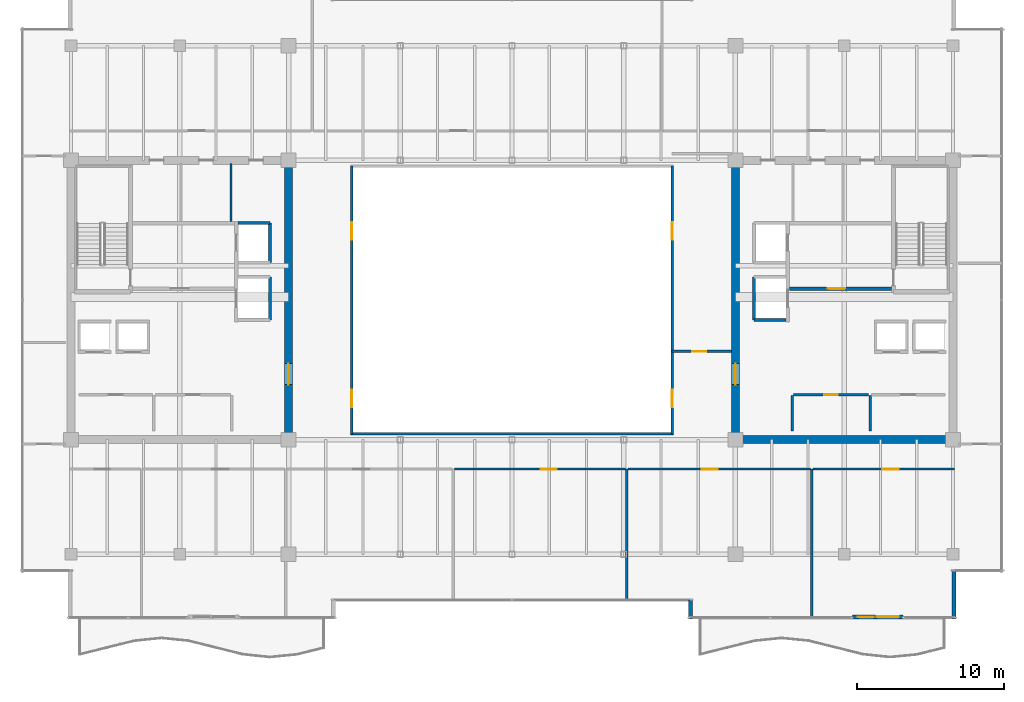
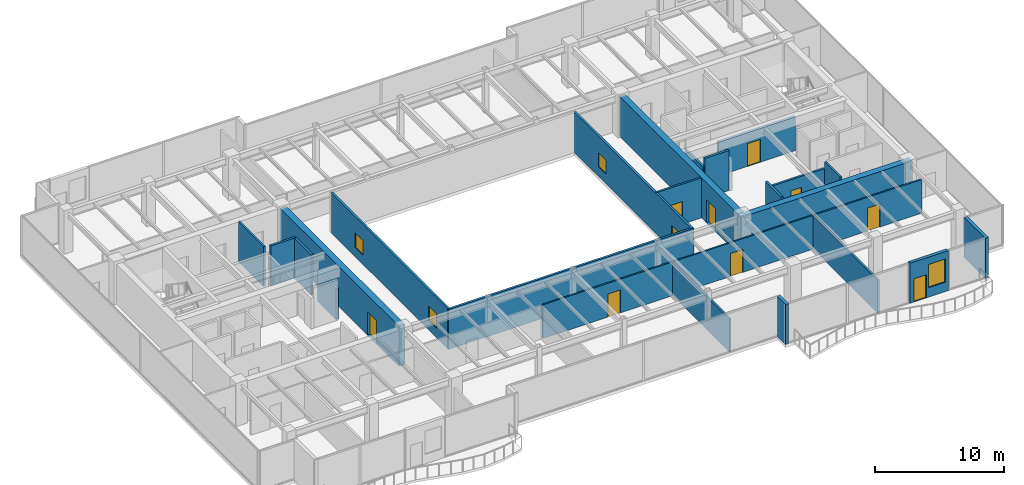
# One storey, part 29 of 34: 25 walls, 9 doors, 5 windows, 14 openings.
"""IFC4 building model written with IfcOpenShell, lengths in metres."""

from ifc_helpers import new_model, si_unit, direction, frame, frame_2d, origin, place, context, subcontext, project, spatial, rectangle, extrude, source, transform, mapped, material, layer, layer_set, type_object, type_shapes, element, fill, save


model = new_model("IFC4")

# Units and contexts
model_context = context("Model", 3, precision=1e-05, world=origin(), true_north=direction((0.0, 1.0)))
body_context = subcontext(model_context, "Body", "Model", "MODEL_VIEW")
ifc_project = project(units=[si_unit("LENGTHUNIT", "METRE"), si_unit("AREAUNIT", "SQUARE_METRE"), si_unit("VOLUMEUNIT", "CUBIC_METRE"), si_unit("PLANEANGLEUNIT", "RADIAN"), si_unit("MASSUNIT", "GRAM", prefix="KILO")], contexts=[model_context])

# Site, building, storey
site_placement = place(None, origin())
site = spatial("IfcSite", under=ifc_project, at=site_placement, CompositionType="ELEMENT")
building_placement = place(site_placement, origin())
building = spatial("IfcBuilding", under=site, at=building_placement, Name="Haelvirn Gate Laboratories", CompositionType="ELEMENT")
storey_placement = place(building_placement, frame((0.0, 0.0, 205.5)))
storey = spatial("IfcBuildingStorey", under=building, at=storey_placement, Name="L49", CompositionType="ELEMENT", Elevation=205.5)

# Wall, openings, door, window
ifc_material_1 = material(Name="Thermally-broken bronze aluminium rainscreen & mineral wool", Category="aluminium")
ifc_layer_1 = layer(ifc_material_1, 0.280029296875, Name="EW-TERR-280")
ifc_layer_set_1 = layer_set([ifc_layer_1], Name="Thermally-broken bronze aluminium rainscreen & mineral wool")
wall_type_1 = type_object("IfcWallType", Name="EW-TERR-280", PredefinedType="STANDARD", material=ifc_layer_set_1)
wall_1_placement = place(storey_placement, frame((60.547119140625, 2.739990234375, 0.0), z_axis=(0.0, 0.0, 1.0), x_axis=(1.0, 0.0, 0.0)))
wall_1 = element("IfcWall", 1, at=wall_1_placement, inside=storey, type_object=wall_type_1, Name="L49 Terrace Access Wall WB-EL-S", PredefinedType="STANDARD", context=body_context, shape_type="SweptSolid", body=[
    extrude(rectangle(XDim=3.455810546875, YDim=0.280029296875, at=frame_2d((1.72802734375, 0.0))), origin(), (0.0, 0.0, 1.0), 3.800048828125),
])
opening_1_placement = place(wall_1_placement, frame((0.3779296875, 0.0, 0.0)))
opening_1 = element("IfcOpeningElement", 2, at=opening_1_placement, cuts=wall_1, Name="Opening TD1", PredefinedType="OPENING", context=body_context, shape_type="SweptSolid", body=[
    extrude(rectangle(XDim=1.10009765625, YDim=2.199951171875, at=frame_2d((0.550048828125, 1.10009765625))), frame((0.0, 0.14990234375, 0.0), z_axis=(0.0, -1.0, 0.0), x_axis=(1.0, 0.0, 0.0)), (0.0, 0.0, 1.0), 0.300048828125),
])
opening_2_placement = place(wall_1_placement, frame((1.677978515625, 0.0, 0.89990234375)))
opening_2 = element("IfcOpeningElement", 3, at=opening_2_placement, cuts=wall_1, Name="Opening W3", PredefinedType="OPENING", context=body_context, shape_type="SweptSolid", body=[
    extrude(rectangle(XDim=1.5, YDim=2.199951171875, at=frame_2d((0.75, 1.10009765625))), frame((0.0, 0.14990234375, 0.0), z_axis=(0.0, -1.0, 0.0), x_axis=(1.0, 0.0, 0.0)), (0.0, 0.0, 1.0), 0.300048828125),
])
ifc_material_2 = material(Name="Thermally-broken bronze aluminium glazed terrace door", Category="aluminium")
door_type_1 = type_object("IfcDoorType", Name="DR-TERR-1100", OperationType="NOTDEFINED", PredefinedType="DOOR", material=ifc_material_2)
shared_shape_1 = source(origin(), body_context, "Body", "SweptSolid", [
    extrude(rectangle(XDim=1.10009765625, YDim=2.199951171875, at=frame_2d((0.550048828125, 1.10009765625))), frame((0.0, 0.02490234375, 0.0), z_axis=(0.0, -1.0, 0.0), x_axis=(1.0, 0.0, 0.0)), (0.0, 0.0, 1.0), 0.050048828125),
])
type_shapes(door_type_1, [shared_shape_1])
door_1_placement = place(opening_1_placement, origin())
door_1 = element("IfcDoor", 4, at=door_1_placement, inside=storey, type_object=door_type_1, Name="L49 Terrace Access Door WB-EL-S", OperationType="SINGLE_SWING_LEFT", OverallHeight=2.199951171875, OverallWidth=1.10009765625, PredefinedType="DOOR", context=body_context, shape_type="MappedRepresentation", body=[
    mapped(shared_shape_1, transform((0.0, 0.0, 0.0), scale=1.0)),
])
fill(opening_1, door_1)
ifc_material_3 = material(Name="Bronze anodised aluminium & triple low-E glass", Category="aluminium")
window_type_1 = type_object("IfcWindowType", Name="WIN-TERR-1600", PartitioningType="SINGLE_PANEL", PredefinedType="WINDOW", material=ifc_material_3)
shared_shape_2 = source(origin(), body_context, "Body", "SweptSolid", [
    extrude(rectangle(XDim=1.5, YDim=2.199951171875, at=frame_2d((0.75, 1.10009765625))), frame((0.0, 0.030029296875, 0.0), z_axis=(0.0, -1.0, 0.0), x_axis=(1.0, 0.0, 0.0)), (0.0, 0.0, 1.0), 0.06005859375),
])
type_shapes(window_type_1, [shared_shape_2])
window_1_placement = place(opening_2_placement, origin())
window_1 = element("IfcWindow", 5, at=window_1_placement, inside=storey, type_object=window_type_1, Name="L49 Terrace Vision Window WB-EL-S", OverallHeight=2.199951171875, OverallWidth=1.5, PartitioningType="SINGLE_PANEL", PredefinedType="WINDOW", context=body_context, shape_type="MappedRepresentation", body=[
    mapped(shared_shape_2, transform((0.0, 0.0, 0.0), scale=1.0)),
])
fill(opening_2, window_1)

# Walls
wall_2_placement = place(storey_placement, frame((49.5400390625, 3.89306640625, 0.0), z_axis=(0.0, 0.0, 1.0), x_axis=(0.0, -1.0, 0.0)))
element("IfcWall", 6, at=wall_2_placement, inside=storey, type_object=wall_type_1, Name="L49 Atrium Recess Bronze Return Wall 03", PredefinedType="STANDARD", context=body_context, shape_type="SweptSolid", body=[
    extrude(rectangle(XDim=1.29296875, YDim=0.280029296875, at=frame_2d((0.646484375, 0.0))), origin(), (0.0, 0.0, 1.0), 3.800048828125),
])
wall_3_placement = place(storey_placement, frame((67.4599609375, 2.60009765625, 0.0), z_axis=(0.0, 0.0, 1.0), x_axis=(0.0, 1.0, 0.0)))
element("IfcWall", 7, at=wall_3_placement, inside=storey, type_object=wall_type_1, Name="L49 Atrium Recess Bronze Return Wall 05", PredefinedType="STANDARD", context=body_context, shape_type="SweptSolid", body=[
    extrude(rectangle(XDim=3.287841796875, YDim=0.280029296875, at=frame_2d((1.64404296875, 0.0))), origin(), (0.0, 0.0, 1.0), 3.800048828125),
])
ifc_material_4 = material(Name="Double-layer acoustic gypsum laboratory partition", Category="gypsum")
ifc_layer_2 = layer(ifc_material_4, 0.159912109375, Name="IW-ACOUST-160")
ifc_layer_set_2 = layer_set([ifc_layer_2], Name="Double-layer acoustic gypsum laboratory partition")
wall_type_2 = type_object("IfcWallType", Name="IW-ACOUST-160", PredefinedType="PARTITIONING", material=ifc_layer_set_2)
wall_4_placement = place(storey_placement, frame((45.199951171875, 3.909912109375, 0.0), z_axis=(0.0, 0.0, 1.0), x_axis=(0.0, 1.0, 0.0)))
element("IfcWall", 8, at=wall_4_placement, inside=storey, type_object=wall_type_2, Name="L49 Interior Wall IW-L49-SDIV-04", PredefinedType="PARTITIONING", context=body_context, shape_type="SweptSolid", body=[
    extrude(rectangle(XDim=8.880126953125, YDim=0.159912109375, at=frame_2d((4.43994140625, 0.0))), origin(), (0.0, 0.0, 1.0), 3.135009765625),
])
wall_5_placement = place(storey_placement, frame((57.800048828125, 2.7099609375, 0.0), z_axis=(0.0, 0.0, 1.0), x_axis=(0.0, 1.0, 0.0)))
element("IfcWall", 9, at=wall_5_placement, inside=storey, type_object=wall_type_2, Name="L49 Interior Wall IW-L49-SDIV-05", PredefinedType="PARTITIONING", context=body_context, shape_type="SweptSolid", body=[
    extrude(rectangle(XDim=10.080078125, YDim=0.159912109375, at=frame_2d((5.0400390625, 0.0))), origin(), (0.0, 0.0, 1.0), 3.135009765625),
])

# Wall, opening, door
ifc_material_5 = material(Name="Fire-rated acoustic gypsum board partition", Category="gypsum")
ifc_layer_3 = layer(ifc_material_5, 0.175048828125, Name="IW-ACOUST-180")
ifc_layer_set_3 = layer_set([ifc_layer_3], Name="Fire-rated acoustic gypsum board partition")
wall_type_3 = type_object("IfcWallType", Name="IW-ACOUST-180", PredefinedType="PARTITIONING", material=ifc_layer_set_3)
wall_6_placement = place(storey_placement, frame((48.300048828125, 20.800048828125, 0.0), z_axis=(0.0, 0.0, 1.0), x_axis=(1.0, 0.0, 0.0)))
wall_6 = element("IfcWall", 10, at=wall_6_placement, inside=storey, type_object=wall_type_3, Name="L49 Interior Wall IW-L49-EPOD-S", PredefinedType="PARTITIONING", context=body_context, shape_type="SweptSolid", body=[
    extrude(rectangle(XDim=4.02490234375, YDim=0.175048828125, at=frame_2d((2.012451171875, 0.0))), origin(), (0.0, 0.0, 1.0), 3.800048828125),
])
opening_3_placement = place(wall_6_placement, frame((1.35009765625, 0.0, 0.0)))
opening_3 = element("IfcOpeningElement", 11, at=opening_3_placement, cuts=wall_6, Name="Opening FD4", PredefinedType="OPENING", context=body_context, shape_type="SweptSolid", body=[
    extrude(rectangle(XDim=0.949951171875, YDim=2.14990234375, at=frame_2d((0.47509765625, 1.074951171875))), frame((0.0, 0.09765625, 0.0), z_axis=(0.0, -1.0, 0.0), x_axis=(1.0, 0.0, 0.0)), (0.0, 0.0, 1.0), 0.195068359375),
])
ifc_material_6 = material(Name="Fire-rated steel SM355 core service door", Category="steel")
door_type_2 = type_object("IfcDoorType", Name="DR-FD-950", OperationType="NOTDEFINED", PredefinedType="DOOR", material=ifc_material_6)
shared_shape_3 = source(origin(), body_context, "Body", "SweptSolid", [
    extrude(rectangle(XDim=0.949951171875, YDim=2.14990234375, at=frame_2d((0.47509765625, 1.074951171875))), frame((0.0, 0.02490234375, 0.0), z_axis=(0.0, -1.0, 0.0), x_axis=(1.0, 0.0, 0.0)), (0.0, 0.0, 1.0), 0.050048828125),
])
type_shapes(door_type_2, [shared_shape_3])
door_2_placement = place(opening_3_placement, origin())
door_2 = element("IfcDoor", 12, at=door_2_placement, inside=storey, type_object=door_type_2, Name="L49 High-Zone Collaboration Suite Door", OperationType="SINGLE_SWING_LEFT", OverallHeight=2.14990234375, OverallWidth=0.949951171875, PredefinedType="DOOR", context=body_context, shape_type="MappedRepresentation", body=[
    mapped(shared_shape_3, transform((0.0, 0.0, 0.0), scale=1.0)),
])
fill(opening_3, door_2)

# Wall, openings, windows
ifc_material_7 = material(Name="Tempered fire-rated borosilicate glass & anodised aluminium", Category="aluminium")
ifc_layer_4 = layer(ifc_material_7, 0.195068359375, Name="IW-GLAZ-200")
ifc_layer_set_4 = layer_set([ifc_layer_4], Name="Tempered fire-rated borosilicate glass & anodised aluminium")
wall_type_4 = type_object("IfcWallType", Name="IW-GLAZ-200", PredefinedType="SOLIDWALL", material=ifc_layer_set_4)
wall_7_placement = place(storey_placement, frame((26.5, 15.199951171875, 0.0), z_axis=(0.0, 0.0, 1.0), x_axis=(0.0, 1.0, 0.0)))
wall_7 = element("IfcWall", 13, at=wall_7_placement, inside=storey, type_object=wall_type_4, Name="L49 Interior Wall IW-L49-ATRIUM-W", PredefinedType="SOLIDWALL", context=body_context, shape_type="SweptSolid", body=[
    extrude(rectangle(XDim=18.199951171875, YDim=0.195068359375, at=frame_2d((9.10009765625, 0.0))), origin(), (0.0, 0.0, 1.0), 3.800048828125),
])
opening_4_placement = place(wall_7_placement, frame((1.800048828125, 0.0, 0.89990234375)))
opening_4 = element("IfcOpeningElement", 14, at=opening_4_placement, cuts=wall_7, Name="Opening W6", PredefinedType="OPENING", context=body_context, shape_type="SweptSolid", body=[
    extrude(rectangle(XDim=1.199951171875, YDim=1.35009765625, at=frame_2d((0.60009765625, 0.675048828125))), frame((0.0, 0.107421875, 0.0), z_axis=(0.0, -1.0, 0.0), x_axis=(1.0, 0.0, 0.0)), (0.0, 0.0, 1.0), 0.215087890625),
])
opening_5_placement = place(wall_7_placement, frame((13.199951171875, 0.0, 0.89990234375)))
opening_5 = element("IfcOpeningElement", 15, at=opening_5_placement, cuts=wall_7, Name="Opening W6", PredefinedType="OPENING", context=body_context, shape_type="SweptSolid", body=[
    extrude(rectangle(XDim=1.199951171875, YDim=1.35009765625, at=frame_2d((0.60009765625, 0.675048828125))), frame((0.0, 0.107421875, 0.0), z_axis=(0.0, -1.0, 0.0), x_axis=(1.0, 0.0, 0.0)), (0.0, 0.0, 1.0), 0.215087890625),
])
ifc_material_8 = material(Name="Fire-rated EI 120 borosilicate atrium vision glazing", Category="glass")
window_type_2 = type_object("IfcWindowType", Name="WN-ATR-1200", PartitioningType="SINGLE_PANEL", PredefinedType="WINDOW", material=ifc_material_8)
shared_shape_4 = source(origin(), body_context, "Body", "SweptSolid", [
    extrude(rectangle(XDim=1.199951171875, YDim=1.35009765625, at=frame_2d((0.60009765625, 0.675048828125))), frame((0.0, 0.030029296875, 0.0), z_axis=(0.0, -1.0, 0.0), x_axis=(1.0, 0.0, 0.0)), (0.0, 0.0, 1.0), 0.06005859375),
])
type_shapes(window_type_2, [shared_shape_4])
window_2_placement = place(opening_4_placement, origin())
window_2 = element("IfcWindow", 16, at=window_2_placement, inside=storey, type_object=window_type_2, Name="L49 Atrium Observation Window 1", OverallHeight=1.35009765625, OverallWidth=1.199951171875, PartitioningType="SINGLE_PANEL", PredefinedType="WINDOW", context=body_context, shape_type="MappedRepresentation", body=[
    mapped(shared_shape_4, transform((0.0, 0.0, 0.0), scale=1.0)),
])
fill(opening_4, window_2)
window_3_placement = place(opening_5_placement, origin())
window_3 = element("IfcWindow", 17, at=window_3_placement, inside=storey, type_object=window_type_2, Name="L49 Atrium Observation Window 2", OverallHeight=1.35009765625, OverallWidth=1.199951171875, PartitioningType="SINGLE_PANEL", PredefinedType="WINDOW", context=body_context, shape_type="MappedRepresentation", body=[
    mapped(shared_shape_4, transform((0.0, 0.0, 0.0), scale=1.0)),
])
fill(opening_5, window_3)

wall_8_placement = place(storey_placement, frame((48.300048828125, 15.199951171875, 0.0), z_axis=(0.0, 0.0, 1.0), x_axis=(0.0, 1.0, 0.0)))
wall_8 = element("IfcWall", 18, at=wall_8_placement, inside=storey, type_object=wall_type_4, Name="L49 Interior Wall IW-L49-ATRIUM-E", PredefinedType="SOLIDWALL", context=body_context, shape_type="SweptSolid", body=[
    extrude(rectangle(XDim=18.199951171875, YDim=0.195068359375, at=frame_2d((9.10009765625, 0.0))), origin(), (0.0, 0.0, 1.0), 3.800048828125),
])
opening_6_placement = place(wall_8_placement, frame((1.800048828125, 0.0, 0.89990234375)))
opening_6 = element("IfcOpeningElement", 19, at=opening_6_placement, cuts=wall_8, Name="Opening W6", PredefinedType="OPENING", context=body_context, shape_type="SweptSolid", body=[
    extrude(rectangle(XDim=1.199951171875, YDim=1.35009765625, at=frame_2d((0.60009765625, 0.675048828125))), frame((0.0, 0.107421875, 0.0), z_axis=(0.0, -1.0, 0.0), x_axis=(1.0, 0.0, 0.0)), (0.0, 0.0, 1.0), 0.215087890625),
])
opening_7_placement = place(wall_8_placement, frame((13.199951171875, 0.0, 0.89990234375)))
opening_7 = element("IfcOpeningElement", 20, at=opening_7_placement, cuts=wall_8, Name="Opening W6", PredefinedType="OPENING", context=body_context, shape_type="SweptSolid", body=[
    extrude(rectangle(XDim=1.199951171875, YDim=1.35009765625, at=frame_2d((0.60009765625, 0.675048828125))), frame((0.0, 0.107421875, 0.0), z_axis=(0.0, -1.0, 0.0), x_axis=(1.0, 0.0, 0.0)), (0.0, 0.0, 1.0), 0.215087890625),
])
window_4_placement = place(opening_6_placement, origin())
window_4 = element("IfcWindow", 21, at=window_4_placement, inside=storey, type_object=window_type_2, Name="L49 Atrium Observation Window 1", OverallHeight=1.35009765625, OverallWidth=1.199951171875, PartitioningType="SINGLE_PANEL", PredefinedType="WINDOW", context=body_context, shape_type="MappedRepresentation", body=[
    mapped(shared_shape_4, transform((0.0, 0.0, 0.0), scale=1.0)),
])
fill(opening_6, window_4)
window_5_placement = place(opening_7_placement, origin())
window_5 = element("IfcWindow", 22, at=window_5_placement, inside=storey, type_object=window_type_2, Name="L49 Atrium Observation Window 2", OverallHeight=1.35009765625, OverallWidth=1.199951171875, PartitioningType="SINGLE_PANEL", PredefinedType="WINDOW", context=body_context, shape_type="MappedRepresentation", body=[
    mapped(shared_shape_4, transform((0.0, 0.0, 0.0), scale=1.0)),
])
fill(opening_7, window_5)

# Wall
wall_9_placement = place(storey_placement, frame((26.39990234375, 15.199951171875, 0.0), z_axis=(0.0, 0.0, 1.0), x_axis=(1.0, 0.0, 0.0)))
element("IfcWall", 23, at=wall_9_placement, inside=storey, type_object=wall_type_4, Name="L49 Interior Wall IW-L49-ATRIUM-S", PredefinedType="SOLIDWALL", context=body_context, shape_type="SweptSolid", body=[
    extrude(rectangle(XDim=22.0, YDim=0.195068359375, at=frame_2d((11.0, 0.0))), origin(), (0.0, 0.0, 1.0), 3.800048828125),
])

# Wall, opening, door
ifc_material_9 = material(Name="Acoustic mineral-wool gypsum board partition", Category="gypsum")
ifc_layer_5 = layer(ifc_material_9, 0.139892578125, Name="IW-PART-140")
ifc_layer_set_5 = layer_set([ifc_layer_5], Name="Acoustic mineral-wool gypsum board partition")
wall_type_5 = type_object("IfcWallType", Name="IW-PART-140", PredefinedType="PARTITIONING", material=ifc_layer_set_5)
wall_10_placement = place(storey_placement, frame((33.47998046875, 12.7900390625, 0.0), z_axis=(0.0, 0.0, 1.0), x_axis=(1.0, 0.0, 0.0)))
wall_10 = element("IfcWall", 24, at=wall_10_placement, inside=storey, type_object=wall_type_5, Name="L49 Interior Wall IW-L49-SCORR-04", PredefinedType="PARTITIONING", context=body_context, shape_type="SweptSolid", body=[
    extrude(rectangle(XDim=11.64013671875, YDim=0.139892578125, at=frame_2d((5.820068359375, 0.0))), origin(), (0.0, 0.0, 1.0), 3.197021484375),
])
opening_8_placement = place(wall_10_placement, frame((5.8603515625, 0.0, 0.0)))
opening_8 = element("IfcOpeningElement", 25, at=opening_8_placement, cuts=wall_10, Name="Opening D1", PredefinedType="OPENING", context=body_context, shape_type="SweptSolid", body=[
    extrude(rectangle(XDim=1.10009765625, YDim=2.179931640625, at=frame_2d((0.550048828125, 1.08984375))), frame((0.0, 0.080078125, 0.0), z_axis=(0.0, -1.0, 0.0), x_axis=(1.0, 0.0, 0.0)), (0.0, 0.0, 1.0), 0.159912109375),
])
ifc_material_10 = material(Name="Vision-panel acoustic solid-core timber lab door", Category="wood")
door_type_3 = type_object("IfcDoorType", Name="DR-LAB-1100", OperationType="NOTDEFINED", PredefinedType="DOOR", material=ifc_material_10)
shared_shape_5 = source(origin(), body_context, "Body", "SweptSolid", [
    extrude(rectangle(XDim=1.10009765625, YDim=2.179931640625, at=frame_2d((0.550048828125, 1.08984375))), frame((0.0, 0.02490234375, 0.0), z_axis=(0.0, -1.0, 0.0), x_axis=(1.0, 0.0, 0.0)), (0.0, 0.0, 1.0), 0.050048828125),
])
type_shapes(door_type_3, [shared_shape_5])
door_3_placement = place(opening_8_placement, origin())
door_3 = element("IfcDoor", 26, at=door_3_placement, inside=storey, type_object=door_type_3, Name="L49 Analytical Instrument Suite Door S4", OperationType="SINGLE_SWING_LEFT", OverallHeight=2.179931640625, OverallWidth=1.10009765625, PredefinedType="DOOR", context=body_context, shape_type="MappedRepresentation", body=[
    mapped(shared_shape_5, transform((0.0, 0.0, 0.0), scale=1.0)),
])
fill(opening_8, door_3)

wall_11_placement = place(storey_placement, frame((45.280029296875, 12.7900390625, 0.0), z_axis=(0.0, 0.0, 1.0), x_axis=(1.0, 0.0, 0.0)))
wall_11 = element("IfcWall", 27, at=wall_11_placement, inside=storey, type_object=wall_type_5, Name="L49 Interior Wall IW-L49-SCORR-05", PredefinedType="PARTITIONING", context=body_context, shape_type="SweptSolid", body=[
    extrude(rectangle(XDim=12.43994140625, YDim=0.139892578125, at=frame_2d((6.219970703125, 0.0))), origin(), (0.0, 0.0, 1.0), 3.197021484375),
])
opening_9_placement = place(wall_11_placement, frame((5.031494140625, 0.0, 0.0)))
opening_9 = element("IfcOpeningElement", 28, at=opening_9_placement, cuts=wall_11, Name="Opening D1", PredefinedType="OPENING", context=body_context, shape_type="SweptSolid", body=[
    extrude(rectangle(XDim=1.10009765625, YDim=2.179931640625, at=frame_2d((0.550048828125, 1.08984375))), frame((0.0, 0.080078125, 0.0), z_axis=(0.0, -1.0, 0.0), x_axis=(1.0, 0.0, 0.0)), (0.0, 0.0, 1.0), 0.159912109375),
])
door_4_placement = place(opening_9_placement, origin())
door_4 = element("IfcDoor", 29, at=door_4_placement, inside=storey, type_object=door_type_3, Name="L49 Cleanroom Metrology Suite Door S5", OperationType="SINGLE_SWING_RIGHT", OverallHeight=2.179931640625, OverallWidth=1.10009765625, PredefinedType="DOOR", context=body_context, shape_type="MappedRepresentation", body=[
    mapped(shared_shape_5, transform((0.0, 0.0, 0.0), scale=1.0)),
])
fill(opening_9, door_4)

wall_12_placement = place(storey_placement, frame((57.8798828125, 12.7900390625, 0.0), z_axis=(0.0, 0.0, 1.0), x_axis=(1.0, 0.0, 0.0)))
wall_12 = element("IfcWall", 30, at=wall_12_placement, inside=storey, type_object=wall_type_5, Name="L49 Interior Wall IW-L49-SCORR-06", PredefinedType="PARTITIONING", context=body_context, shape_type="SweptSolid", body=[
    extrude(rectangle(XDim=9.610107421875, YDim=0.139892578125, at=frame_2d((4.80517578125, 0.0))), origin(), (0.0, 0.0, 1.0), 3.197021484375),
])
opening_10_placement = place(wall_12_placement, frame((4.7236328125, 0.0, 0.0)))
opening_10 = element("IfcOpeningElement", 31, at=opening_10_placement, cuts=wall_12, Name="Opening D1", PredefinedType="OPENING", context=body_context, shape_type="SweptSolid", body=[
    extrude(rectangle(XDim=1.10009765625, YDim=2.179931640625, at=frame_2d((0.550048828125, 1.08984375))), frame((0.0, 0.080078125, 0.0), z_axis=(0.0, -1.0, 0.0), x_axis=(1.0, 0.0, 0.0)), (0.0, 0.0, 1.0), 0.159912109375),
])
door_5_placement = place(opening_10_placement, origin())
door_5 = element("IfcDoor", 32, at=door_5_placement, inside=storey, type_object=door_type_3, Name="L49 Cryo-EM Imaging Suite Door S6", OperationType="SINGLE_SWING_LEFT", OverallHeight=2.179931640625, OverallWidth=1.10009765625, PredefinedType="DOOR", context=body_context, shape_type="MappedRepresentation", body=[
    mapped(shared_shape_5, transform((0.0, 0.0, 0.0), scale=1.0)),
])
fill(opening_10, door_5)

# Walls
ifc_material_11 = material(Name="Cement-board restroom plumbing chase wall", Category="gypsum")
ifc_layer_6 = layer(ifc_material_11, 0.155029296875, Name="IW-PLUMB-160")
ifc_layer_set_6 = layer_set([ifc_layer_6], Name="Cement-board restroom plumbing chase wall")
wall_type_6 = type_object("IfcWallType", Name="IW-PLUMB-160", PredefinedType="PLUMBINGWALL", material=ifc_layer_set_6)
wall_13_placement = place(storey_placement, frame((18.2900390625, 29.64990234375, 0.0), z_axis=(0.0, 0.0, 1.0), x_axis=(0.0, 1.0, 0.0)))
element("IfcWall", 33, at=wall_13_placement, inside=storey, type_object=wall_type_6, Name="L49 Interior Wall IW-L49-W-CDIV-2", PredefinedType="PLUMBINGWALL", context=body_context, shape_type="SweptSolid", body=[
    extrude(rectangle(XDim=3.93017578125, YDim=0.155029296875, at=frame_2d((1.965087890625, 0.0))), origin(), (0.0, 0.0, 1.0), 3.800048828125),
])
ifc_material_12 = material(Name="Concrete C40/50", Category="concrete")
ifc_layer_7 = layer(ifc_material_12, 0.179931640625, Name="IW-SHAFT-180")
ifc_layer_set_7 = layer_set([ifc_layer_7], Name="Concrete C40/50")
wall_type_7 = type_object("IfcWallType", Name="IW-SHAFT-180", PredefinedType="SOLIDWALL", material=ifc_layer_set_7)
wall_14_placement = place(storey_placement, frame((61.760009765625, 15.39990234375, 0.0), z_axis=(0.0, 0.0, 1.0), x_axis=(0.0, 1.0, 0.0)))
element("IfcWall", 34, at=wall_14_placement, inside=storey, type_object=wall_type_7, Name="L49 Interior Wall IW-L49-E-FREED-HE-1", PredefinedType="SOLIDWALL", context=body_context, shape_type="SweptSolid", body=[
    extrude(rectangle(XDim=2.400146484375, YDim=0.179931640625, at=frame_2d((1.2001953125, 0.0))), origin(), (0.0, 0.0, 1.0), 3.800048828125),
])

# Wall, opening, door
wall_15_placement = place(storey_placement, frame((56.550048828125, 17.85009765625, 0.0), z_axis=(0.0, 0.0, 1.0), x_axis=(1.0, 0.0, 0.0)))
wall_15 = element("IfcWall", 35, at=wall_15_placement, inside=storey, type_object=wall_type_7, Name="L49 Interior Wall IW-L49-E-FREED-HN-2", PredefinedType="SOLIDWALL", context=body_context, shape_type="SweptSolid", body=[
    extrude(rectangle(XDim=5.099853515625, YDim=0.179931640625, at=frame_2d((2.5498046875, 0.0))), origin(), (0.0, 0.0, 1.0), 3.197021484375),
])
opening_11_placement = place(wall_15_placement, frame((2.074951171875, 0.0, 0.0)))
opening_11 = element("IfcOpeningElement", 36, at=opening_11_placement, cuts=wall_15, Name="Opening FD4", PredefinedType="OPENING", context=body_context, shape_type="SweptSolid", body=[
    extrude(rectangle(XDim=0.949951171875, YDim=2.14990234375, at=frame_2d((0.47509765625, 1.074951171875))), frame((0.0, 0.10009765625, 0.0), z_axis=(0.0, -1.0, 0.0), x_axis=(1.0, 0.0, 0.0)), (0.0, 0.0, 1.0), 0.199951171875),
])
door_6_placement = place(opening_11_placement, origin())
door_6 = element("IfcDoor", 37, at=door_6_placement, inside=storey, type_object=door_type_2, Name="L49 Cryo-Assay Preparation Laboratory Door", OperationType="SINGLE_SWING_RIGHT", OverallHeight=2.14990234375, OverallWidth=0.949951171875, PredefinedType="DOOR", context=body_context, shape_type="MappedRepresentation", body=[
    mapped(shared_shape_3, transform((0.0, 0.0, 0.0), scale=1.0)),
])
fill(opening_11, door_6)

# Walls
wall_16_placement = place(storey_placement, frame((56.4599609375, 15.39990234375, 0.0), z_axis=(0.0, 0.0, 1.0), x_axis=(0.0, 1.0, 0.0)))
element("IfcWall", 38, at=wall_16_placement, inside=storey, type_object=wall_type_7, Name="L49 Interior Wall IW-L49-E-FREED-HE-2", PredefinedType="SOLIDWALL", context=body_context, shape_type="SweptSolid", body=[
    extrude(rectangle(XDim=2.400146484375, YDim=0.179931640625, at=frame_2d((1.2001953125, 0.0))), origin(), (0.0, 0.0, 1.0), 3.800048828125),
])
ifc_layer_8 = layer(ifc_material_12, 0.199951171875, Name="IW-SHAFT-200")
ifc_layer_set_8 = layer_set([ifc_layer_8], Name="Concrete C40/50")
wall_type_8 = type_object("IfcWallType", Name="IW-SHAFT-200", PredefinedType="SOLIDWALL", material=ifc_layer_set_8)
wall_17_placement = place(storey_placement, frame((20.949951171875, 26.85009765625, 0.0), z_axis=(0.0, 0.0, 1.0), x_axis=(0.0, 1.0, 0.0)))
element("IfcWall", 39, at=wall_17_placement, inside=storey, type_object=wall_type_8, Name="L49 Interior Wall IW-L49-FL1-BK", PredefinedType="SOLIDWALL", context=body_context, shape_type="SweptSolid", body=[
    extrude(rectangle(XDim=2.699951171875, YDim=0.199951171875, at=frame_2d((1.35009765625, 0.0))), origin(), (0.0, 0.0, 1.0), 3.800048828125),
])
wall_18_placement = place(storey_placement, frame((18.760009765625, 29.550048828125, 0.0), z_axis=(0.0, 0.0, 1.0), x_axis=(1.0, 0.0, 0.0)))
element("IfcWall", 40, at=wall_18_placement, inside=storey, type_object=wall_type_8, Name="L49 Interior Wall IW-L49-FL1-N", PredefinedType="SOLIDWALL", context=body_context, shape_type="SweptSolid", body=[
    extrude(rectangle(XDim=2.18994140625, YDim=0.199951171875, at=frame_2d((1.094970703125, 0.0))), origin(), (0.0, 0.0, 1.0), 3.800048828125),
])
for number, where, z_axis, x_axis, name in (
    (41, (20.949951171875, 22.949951171875, 0.0), (0.0, 0.0, 1.0), (0.0, 1.0, 0.0), "L49 Interior Wall IW-L49-SL1-BK"),
    (42, (53.85009765625, 22.949951171875, 0.0), (0.0, 0.0, 1.0), (0.0, 1.0, 0.0), "L49 Interior Wall IW-L49-SL2-BK"),
):
    element("IfcWall", number, at=place(storey_placement, frame(where, z_axis=z_axis, x_axis=x_axis)), inside=storey, type_object=wall_type_8, Name=name, PredefinedType="SOLIDWALL", context=body_context, shape_type="SweptSolid", body=[
        extrude(rectangle(XDim=2.900146484375, YDim=0.199951171875, at=frame_2d((1.4501953125, 0.0))), origin(), (0.0, 0.0, 1.0), 2.93505859375),
    ])
wall_19_placement = place(storey_placement, frame((53.85009765625, 22.949951171875, 0.0), z_axis=(0.0, 0.0, 1.0), x_axis=(1.0, 0.0, 0.0)))
element("IfcWall", 43, at=wall_19_placement, inside=storey, type_object=wall_type_8, Name="L49 Interior Wall IW-L49-SL2-S", PredefinedType="SOLIDWALL", context=body_context, shape_type="SweptSolid", body=[
    extrude(rectangle(XDim=2.18994140625, YDim=0.199951171875, at=frame_2d((1.094970703125, 0.0))), origin(), (0.0, 0.0, 1.0), 3.800048828125),
])

# Wall, opening, door
ifc_layer_9 = layer(ifc_material_12, 0.239990234375, Name="IW-SHAFT-240")
ifc_layer_set_9 = layer_set([ifc_layer_9], Name="Concrete C40/50")
wall_type_9 = type_object("IfcWallType", Name="IW-SHAFT-240", PredefinedType="SOLIDWALL", material=ifc_layer_set_9)
wall_20_placement = place(storey_placement, frame((56.280029296875, 25.080078125, 0.0), z_axis=(0.0, 0.0, 1.0), x_axis=(1.0, 0.0, 0.0)))
wall_20 = element("IfcWall", 44, at=wall_20_placement, inside=storey, type_object=wall_type_9, Name="L49 Interior Wall IW-L49-E-FF-S", PredefinedType="SOLIDWALL", context=body_context, shape_type="SweptSolid", body=[
    extrude(rectangle(XDim=6.919921875, YDim=0.239990234375, at=frame_2d((3.4599609375, 0.0))), origin(), (0.0, 0.0, 1.0), 3.197021484375),
])
opening_12_placement = place(wall_20_placement, frame((2.60009765625, 0.0, 0.0)))
opening_12 = element("IfcOpeningElement", 45, at=opening_12_placement, cuts=wall_20, Name="Opening FD2", PredefinedType="OPENING", context=body_context, shape_type="SweptSolid", body=[
    extrude(rectangle(XDim=1.199951171875, YDim=2.159912109375, at=frame_2d((0.60009765625, 1.080078125))), frame((0.0, 0.1298828125, 0.0), z_axis=(0.0, -1.0, 0.0), x_axis=(1.0, 0.0, 0.0)), (0.0, 0.0, 1.0), 0.260009765625),
])
ifc_material_13 = material(Name="Fire-rated steel SM355 compartment door", Category="steel")
door_type_4 = type_object("IfcDoorType", Name="DR-FD-1200", OperationType="NOTDEFINED", PredefinedType="DOOR", material=ifc_material_13)
shared_shape_6 = source(origin(), body_context, "Body", "SweptSolid", [
    extrude(rectangle(XDim=1.199951171875, YDim=2.159912109375, at=frame_2d((0.60009765625, 1.080078125))), frame((0.0, 0.02490234375, 0.0), z_axis=(0.0, -1.0, 0.0), x_axis=(1.0, 0.0, 0.0)), (0.0, 0.0, 1.0), 0.050048828125),
])
type_shapes(door_type_4, [shared_shape_6])
door_7_placement = place(opening_12_placement, origin())
door_7 = element("IfcDoor", 46, at=door_7_placement, inside=storey, type_object=door_type_4, Name="L49 East Firefighting Lobby Door", OperationType="SINGLE_SWING_LEFT", OverallHeight=2.159912109375, OverallWidth=1.199951171875, PredefinedType="DOOR", context=body_context, shape_type="MappedRepresentation", body=[
    mapped(shared_shape_6, transform((0.0, 0.0, 0.0), scale=1.0)),
])
fill(opening_12, door_7)

ifc_material_14 = material(Name="Concrete C50/60", Category="concrete")
ifc_layer_10 = layer(ifc_material_14, 0.550048828125, Name="SW-CORE-550")
ifc_layer_set_10 = layer_set([ifc_layer_10], Name="Concrete C50/60")
wall_type_10 = type_object("IfcWallType", Name="SW-CORE-550", PredefinedType="SHEAR", material=ifc_layer_set_10)
wall_21_placement = place(storey_placement, frame((22.199951171875, 15.074951171875, 0.0), z_axis=(0.0, 0.0, 1.0), x_axis=(0.0, 1.0, 0.0)))
wall_21 = element("IfcWall", 47, at=wall_21_placement, inside=storey, type_object=wall_type_10, Name="L49 W Core Shear Wall E", PredefinedType="SHEAR", context=body_context, shape_type="SweptSolid", body=[
    extrude(rectangle(XDim=18.449951171875, YDim=0.550048828125, at=frame_2d((9.22509765625, 0.0))), origin(), (0.0, 0.0, 1.0), 3.800048828125),
])
opening_13_placement = place(wall_21_placement, frame((3.47509765625, 0.0, 0.0)))
opening_13 = element("IfcOpeningElement", 48, at=opening_13_placement, cuts=wall_21, Name="Opening FD1", PredefinedType="OPENING", context=body_context, shape_type="SweptSolid", body=[
    extrude(rectangle(XDim=1.419921875, YDim=2.199951171875, at=frame_2d((0.7099609375, 1.10009765625))), frame((0.0, 0.28515625, 0.0), z_axis=(0.0, -1.0, 0.0), x_axis=(1.0, 0.0, 0.0)), (0.0, 0.0, 1.0), 0.570068359375),
])
ifc_material_15 = material(Name="Fire-rated double steel SM355 lobby door", Category="steel")
door_type_5 = type_object("IfcDoorType", Name="DR-FD-1400", OperationType="NOTDEFINED", PredefinedType="DOOR", material=ifc_material_15)
shared_shape_7 = source(origin(), body_context, "Body", "SweptSolid", [
    extrude(rectangle(XDim=1.419921875, YDim=2.199951171875, at=frame_2d((0.7099609375, 1.10009765625))), frame((0.0, 0.02490234375, 0.0), z_axis=(0.0, -1.0, 0.0), x_axis=(1.0, 0.0, 0.0)), (0.0, 0.0, 1.0), 0.050048828125),
])
type_shapes(door_type_5, [shared_shape_7])
door_8_placement = place(opening_13_placement, origin())
door_8 = element("IfcDoor", 49, at=door_8_placement, inside=storey, type_object=door_type_5, Name="L49 West Core Lift Lobby Fire Door", OperationType="DOUBLE_DOOR_SINGLE_SWING", OverallHeight=2.199951171875, OverallWidth=1.419921875, PredefinedType="DOOR", context=body_context, shape_type="MappedRepresentation", body=[
    mapped(shared_shape_7, transform((0.0, 0.0, 0.0), scale=1.0)),
])
fill(opening_13, door_8)

# Wall
wall_22_placement = place(storey_placement, frame((52.324951171875, 14.800048828125, 0.0), z_axis=(0.0, 0.0, 1.0), x_axis=(1.0, 0.0, 0.0)))
element("IfcWall", 50, at=wall_22_placement, inside=storey, type_object=wall_type_10, Name="L49 E Core Shear Wall S", PredefinedType="SHEAR", context=body_context, shape_type="SweptSolid", body=[
    extrude(rectangle(XDim=15.35009765625, YDim=0.550048828125, at=frame_2d((7.675048828125, 0.0))), origin(), (0.0, 0.0, 1.0), 3.800048828125),
])

# Wall, opening, door
wall_23_placement = place(storey_placement, frame((52.60009765625, 15.074951171875, 0.0), z_axis=(0.0, 0.0, 1.0), x_axis=(0.0, 1.0, 0.0)))
wall_23 = element("IfcWall", 51, at=wall_23_placement, inside=storey, type_object=wall_type_10, Name="L49 E Core Shear Wall W", PredefinedType="SHEAR", context=body_context, shape_type="SweptSolid", body=[
    extrude(rectangle(XDim=18.449951171875, YDim=0.550048828125, at=frame_2d((9.22509765625, 0.0))), origin(), (0.0, 0.0, 1.0), 3.800048828125),
])
opening_14_placement = place(wall_23_placement, frame((3.47509765625, 0.0, 0.0)))
opening_14 = element("IfcOpeningElement", 52, at=opening_14_placement, cuts=wall_23, Name="Opening FD1", PredefinedType="OPENING", context=body_context, shape_type="SweptSolid", body=[
    extrude(rectangle(XDim=1.419921875, YDim=2.199951171875, at=frame_2d((0.7099609375, 1.10009765625))), frame((0.0, 0.28515625, 0.0), z_axis=(0.0, -1.0, 0.0), x_axis=(1.0, 0.0, 0.0)), (0.0, 0.0, 1.0), 0.570068359375),
])
door_9_placement = place(opening_14_placement, origin())
door_9 = element("IfcDoor", 53, at=door_9_placement, inside=storey, type_object=door_type_5, Name="L49 East Core Lift Lobby Fire Door", OperationType="DOUBLE_DOOR_SINGLE_SWING", OverallHeight=2.199951171875, OverallWidth=1.419921875, PredefinedType="DOOR", context=body_context, shape_type="MappedRepresentation", body=[
    mapped(shared_shape_7, transform((0.0, 0.0, 0.0), scale=1.0)),
])
fill(opening_14, door_9)

save(model, "model.ifc")
